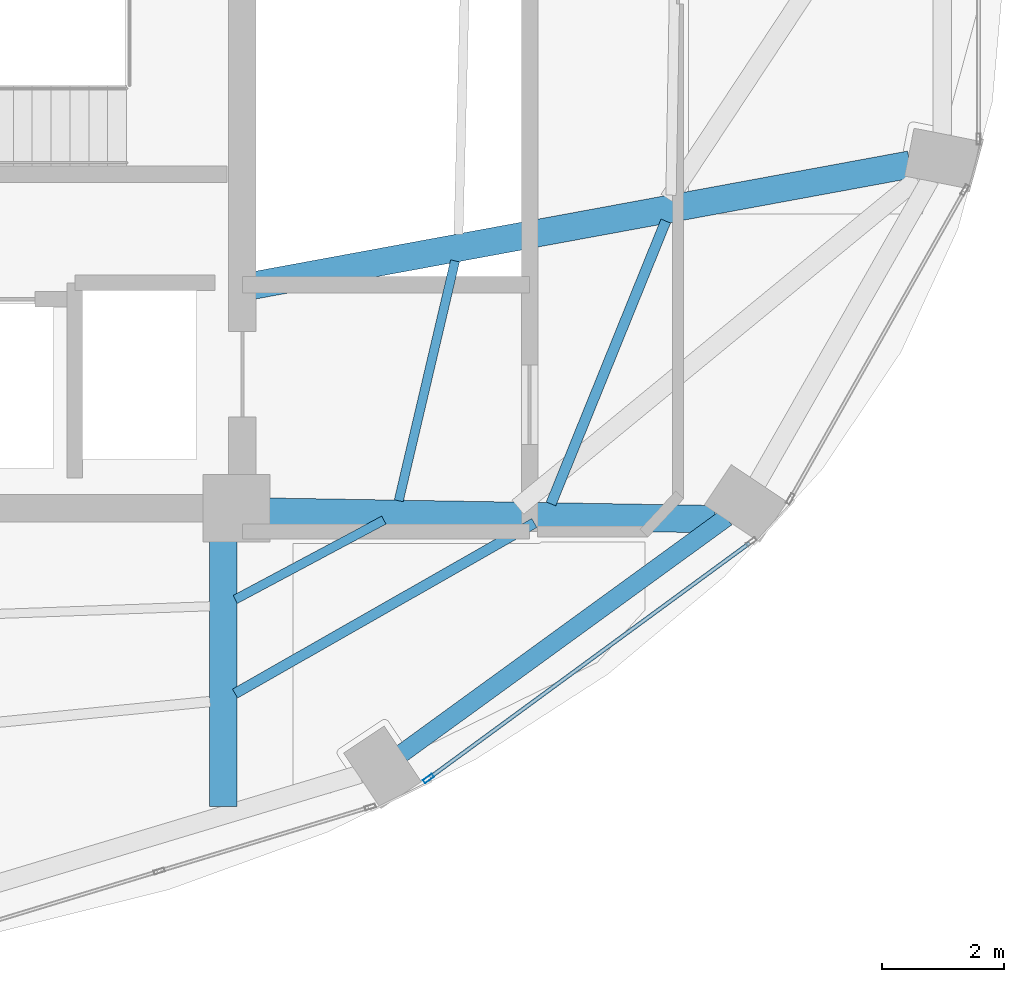
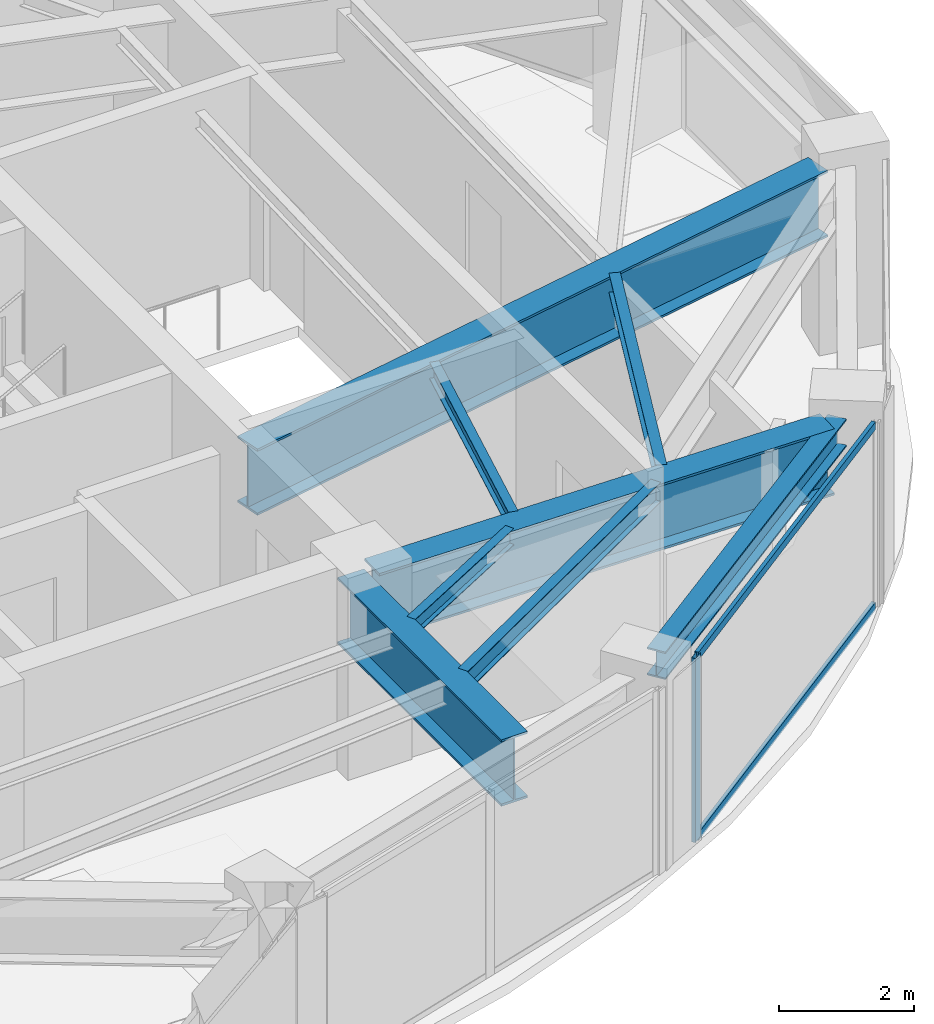
# One storey, part 3 of 13: 8 beams, 3 members, 1 element without a shape of its own.
"""IFC4 building model written with IfcOpenShell, lengths in metres."""

from ifc_helpers import new_model, si_unit, direction, frame, origin, origin_2d, place, context, subcontext, project, spatial, hollow_rectangle, i_section, extrude, material, layer, layer_set, material_profile, profile_set, type_object, element, aggregate, save


model = new_model("IFC4")

# Units and contexts
model_context = context("Model", 3, precision=1e-05, world=origin(), true_north=direction((0.0, 1.0)))
body_context = subcontext(model_context, "Body", "Model", "MODEL_VIEW")
ifc_project = project(units=[si_unit("LENGTHUNIT", "METRE"), si_unit("AREAUNIT", "SQUARE_METRE"), si_unit("VOLUMEUNIT", "CUBIC_METRE"), si_unit("PLANEANGLEUNIT", "RADIAN"), si_unit("MASSUNIT", "GRAM", prefix="KILO")], contexts=[model_context])

# Site, building, storey
site_placement = place(None, origin())
site = spatial("IfcSite", under=ifc_project, at=site_placement, CompositionType="ELEMENT")
building_placement = place(site_placement, origin())
building = spatial("IfcBuilding", under=site, at=building_placement, Name="Lazwardi Medical Tower", CompositionType="ELEMENT")
storey_placement = place(building_placement, frame((0.0, 0.0, 298.800048828125)))
storey = spatial("IfcBuildingStorey", under=building, at=storey_placement, Name="L78", CompositionType="ELEMENT", Elevation=298.800048828125)

# Beams
ifc_material_1 = material(Name="Steel S355", Category="steel")
ifc_material_profile_1 = material_profile(ifc_material_1, i_section(OverallWidth=0.300048828125, OverallDepth=0.5, WebThickness=0.014404296875, FlangeThickness=0.028076171875, at=origin_2d()), Name="HEB 500")
ifc_profile_set_1 = profile_set([ifc_material_profile_1], Name="Steel S355")
beam_type_1 = type_object("IfcBeamType", Name="BM-RB-Z4", PredefinedType="BEAM", material=ifc_profile_set_1)
beam_1_placement = place(storey_placement, frame((48.31591796875, 16.375244140625, 3.077880859375), z_axis=(0.808889916254, 0.587960120571, 0.0), x_axis=(-0.587960120571, 0.808889916254, 0.0)))
element("IfcBeam", 1, at=beam_1_placement, inside=storey, type_object=beam_type_1, Name="Ring beam RB-05 B02 L78", PredefinedType="BEAM", context=body_context, shape_type="SweptSolid", body=[
    extrude(i_section(OverallWidth=0.300048828125, OverallDepth=0.5, WebThickness=0.014404296875, FlangeThickness=0.028076171875, at=origin_2d()), origin(), (0.0, 0.0, 1.0), 6.587158203125),
])
ifc_material_profile_2 = material_profile(ifc_material_1, i_section(OverallWidth=0.169921875, OverallDepth=0.360107421875, WebThickness=0.008056640625, FlangeThickness=0.0126953125, at=origin_2d()), Name="IPE 360")
ifc_profile_set_2 = profile_set([ifc_material_profile_2], Name="Steel S355")
beam_type_2 = type_object("IfcBeamType", Name="BM-SJ-02", PredefinedType="JOIST", material=ifc_profile_set_2)
beam_2_placement = place(storey_placement, frame((45.580078125, 17.35791015625, 3.14794921875), z_axis=(0.868744942601, 0.495259754781, 0.0), x_axis=(-0.495259754781, 0.868744942601, 0.0)))
element("IfcBeam", 2, at=beam_2_placement, inside=storey, type_object=beam_type_2, Name="Secondary joist SJ-02 R1 B02 L78", PredefinedType="JOIST", context=body_context, shape_type="SweptSolid", body=[
    extrude(i_section(OverallWidth=0.169921875, OverallDepth=0.360107421875, WebThickness=0.008056640625, FlangeThickness=0.0126953125, at=origin_2d()), origin(), (0.0, 0.0, 1.0), 5.65380859375),
])
beam_3_placement = place(storey_placement, frame((50.765380859375, 20.470947265625, 3.14794921875), z_axis=(0.375982239391, 0.926626869707, 0.0), x_axis=(-0.926626869707, 0.375982239391, 0.0)))
element("IfcBeam", 3, at=beam_3_placement, inside=storey, type_object=beam_type_2, Name="Secondary joist SJ-02 R1 B03 L78", PredefinedType="JOIST", context=body_context, shape_type="SweptSolid", body=[
    extrude(i_section(OverallWidth=0.169921875, OverallDepth=0.360107421875, WebThickness=0.008056640625, FlangeThickness=0.0126953125, at=origin_2d()), origin(), (0.0, 0.0, 1.0), 5.009765625),
])
ifc_material_profile_3 = material_profile(ifc_material_1, i_section(OverallWidth=0.14990234375, OverallDepth=0.300048828125, WebThickness=0.007080078125, FlangeThickness=0.0107421875, at=origin_2d()), Name="IPE 300")
ifc_profile_set_3 = profile_set([ifc_material_profile_3], Name="Steel S355")
beam_type_3 = type_object("IfcBeamType", Name="BM-SJ-03", PredefinedType="JOIST", material=ifc_profile_set_3)
beam_4_placement = place(storey_placement, frame((45.583251953125, 18.903076171875, 3.177978515625), z_axis=(0.882206226045, 0.47086322295, 0.0), x_axis=(-0.47086322295, 0.882206226045, 0.0)))
element("IfcBeam", 4, at=beam_4_placement, inside=storey, type_object=beam_type_3, Name="Secondary joist SJ-03 R2 B02 L78", PredefinedType="JOIST", context=body_context, shape_type="SweptSolid", body=[
    extrude(i_section(OverallWidth=0.14990234375, OverallDepth=0.300048828125, WebThickness=0.007080078125, FlangeThickness=0.0107421875, at=origin_2d()), origin(), (0.0, 0.0, 1.0), 2.7646484375),
])
beam_5_placement = place(storey_placement, frame((48.2666015625, 20.522705078125, 3.177978515625), z_axis=(0.228490844133, 0.973546061647, 0.0), x_axis=(-0.973546061647, 0.228490844133, 0.0)))
element("IfcBeam", 5, at=beam_5_placement, inside=storey, type_object=beam_type_3, Name="Secondary joist SJ-03 R2 B03 L78", PredefinedType="JOIST", context=body_context, shape_type="SweptSolid", body=[
    extrude(i_section(OverallWidth=0.14990234375, OverallDepth=0.300048828125, WebThickness=0.007080078125, FlangeThickness=0.0107421875, at=origin_2d()), origin(), (0.0, 0.0, 1.0), 4.044189453125),
])
ifc_material_2 = material(Name="Steel S460", Category="steel")
ifc_material_profile_4 = material_profile(ifc_material_2, i_section(OverallWidth=0.449951171875, OverallDepth=1.199951171875, WebThickness=0.02490234375, FlangeThickness=0.0400390625, at=origin_2d()), Name="PG 1200x450")
ifc_profile_set_4 = profile_set([ifc_material_profile_4], Name="Steel S460")
beam_type_4 = type_object("IfcBeamType", Name="BM-TG-02", PredefinedType="BEAM", material=ifc_profile_set_4)
beam_6_placement = place(storey_placement, frame((45.38916015625, 15.5048828125, 2.72802734375), z_axis=(0.0, 1.0, 0.0), x_axis=(-1.0, 0.0, 0.0)))
element("IfcBeam", 6, at=beam_6_placement, inside=storey, type_object=beam_type_4, Name="Transfer girder TG-02 M02 L78", PredefinedType="BEAM", context=body_context, shape_type="SweptSolid", body=[
    extrude(i_section(OverallWidth=0.449951171875, OverallDepth=1.199951171875, WebThickness=0.02490234375, FlangeThickness=0.0400390625, at=origin_2d()), origin(), (0.0, 0.0, 1.0), 4.84521484375),
])
beam_7_placement = place(storey_placement, frame((53.45751953125, 20.22021484375, 2.72802734375), z_axis=(-0.999858044697, 0.01684904909, 0.0), x_axis=(-0.01684904909, -0.999858044697, 0.0)))
element("IfcBeam", 7, at=beam_7_placement, inside=storey, type_object=beam_type_4, Name="Transfer girder TG-02 M03 L78", PredefinedType="BEAM", context=body_context, shape_type="SweptSolid", body=[
    extrude(i_section(OverallWidth=0.449951171875, OverallDepth=1.199951171875, WebThickness=0.02490234375, FlangeThickness=0.0400390625, at=origin_2d()), origin(), (0.0, 0.0, 1.0), 7.70849609375),
])
beam_8_placement = place(storey_placement, frame((56.65869140625, 26.040283203125, 2.72802734375), z_axis=(-0.983460617869, -0.181122094455, 0.0), x_axis=(0.181122094455, -0.983460617869, 0.0)))
element("IfcBeam", 8, at=beam_8_placement, inside=storey, type_object=beam_type_4, Name="Transfer girder TG-02 M04 L78", PredefinedType="BEAM", context=body_context, shape_type="SweptSolid", body=[
    extrude(i_section(OverallWidth=0.449951171875, OverallDepth=1.199951171875, WebThickness=0.02490234375, FlangeThickness=0.0400390625, at=origin_2d()), origin(), (0.0, 0.0, 1.0), 11.092041015625),
])

# Curtain wall, members
ifc_material_3 = material(Name="Anodised bronze aluminium and solar control glazing", Category="aluminium")
ifc_layer = layer(ifc_material_3, 0.18994140625)
ifc_layer_set = layer_set([ifc_layer], Name="Anodised bronze aluminium and solar control glazing")
curtain_wall_type = type_object("IfcCurtainWallType", Name="CW-SYS-04", PredefinedType="NOTDEFINED", material=ifc_layer_set)
curtain_wall_placement = place(storey_placement, origin())
curtain_wall = element("IfcCurtainWall", 9, at=curtain_wall_placement, inside=storey, type_object=curtain_wall_type, Name="L78 Unitised bronze curtain wall CW-04", PredefinedType="NOTDEFINED")
ifc_material_4 = material(Name="Anodised bronze aluminium", Category="aluminium")
ifc_material_profile_5 = material_profile(ifc_material_4, hollow_rectangle(XDim=0.06494140625, YDim=0.179931640625, WallThickness=0.00390625, at=origin_2d()), Name="ALU-MULLION 180x65x4")
ifc_profile_set_5 = profile_set([ifc_material_profile_5], Name="Anodised bronze aluminium")
member_type_1 = type_object("IfcMemberType", Name="CW-MUL-03", PredefinedType="MULLION", material=ifc_profile_set_5)
member_1_placement = place(storey_placement, frame((48.75537109375, 15.965087890625, 0.0), z_axis=(0.0, 0.0, 1.0), x_axis=(-0.591268230971, 0.806474971121, 0.0)))
member_1 = element("IfcMember", 10, at=member_1_placement, type_object=member_type_1, Name="CW-04 mullion 1", PredefinedType="MULLION", context=body_context, shape_type="SweptSolid", body=[
    extrude(hollow_rectangle(XDim=0.06494140625, YDim=0.179931640625, WallThickness=0.00390625, at=origin_2d()), origin(), (0.0, 0.0, 1.0), 3.327880859375),
])
ifc_material_profile_6 = material_profile(ifc_material_4, hollow_rectangle(XDim=0.06494140625, YDim=0.139892578125, WallThickness=0.00341796875, at=origin_2d()), Name="ALU-TRANSOM 140x65x3.5")
ifc_profile_set_6 = profile_set([ifc_material_profile_6], Name="Anodised bronze aluminium")
member_type_2 = type_object("IfcMemberType", Name="CW-TRN-03", PredefinedType="USERDEFINED", material=ifc_profile_set_6)
member_2_placement = place(storey_placement, frame((48.781494140625, 15.984375, 0.032470703125), z_axis=(0.80648973359, 0.591248094808, 0.0), x_axis=(-0.591248094808, 0.80648973359, 0.0)))
member_2 = element("IfcMember", 11, at=member_2_placement, type_object=member_type_2, Name="CW-04 transom 1.1", ObjectType="TRANSOM", PredefinedType="USERDEFINED", context=body_context, shape_type="SweptSolid", body=[
    extrude(hollow_rectangle(XDim=0.06494140625, YDim=0.139892578125, WallThickness=0.00341796875, at=origin_2d()), origin(), (0.0, 0.0, 1.0), 6.502685546875),
])
member_3_placement = place(storey_placement, frame((48.781494140625, 15.984375, 3.29541015625), z_axis=(0.80648973359, 0.591248094808, 0.0), x_axis=(-0.591248094808, 0.80648973359, 0.0)))
member_3 = element("IfcMember", 12, at=member_3_placement, type_object=member_type_2, Name="CW-04 transom 1.2", ObjectType="TRANSOM", PredefinedType="USERDEFINED", context=body_context, shape_type="SweptSolid", body=[
    extrude(hollow_rectangle(XDim=0.06494140625, YDim=0.139892578125, WallThickness=0.00341796875, at=origin_2d()), origin(), (0.0, 0.0, 1.0), 6.502685546875),
])
aggregate(curtain_wall, [member_1, member_2, member_3])

save(model, "model.ifc")
